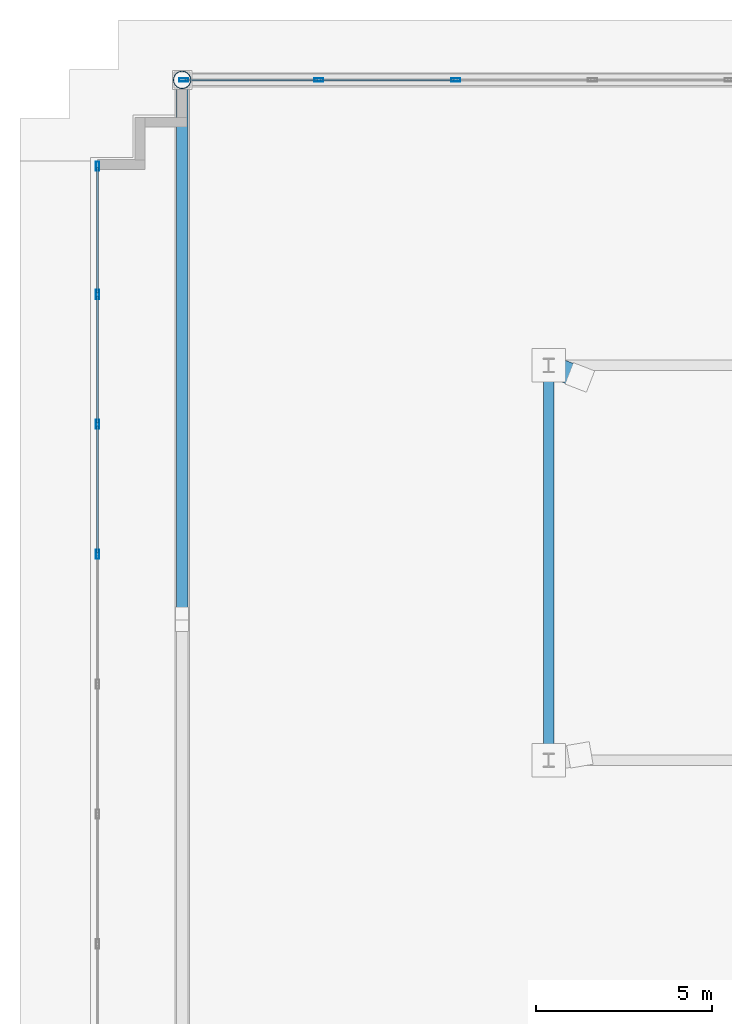
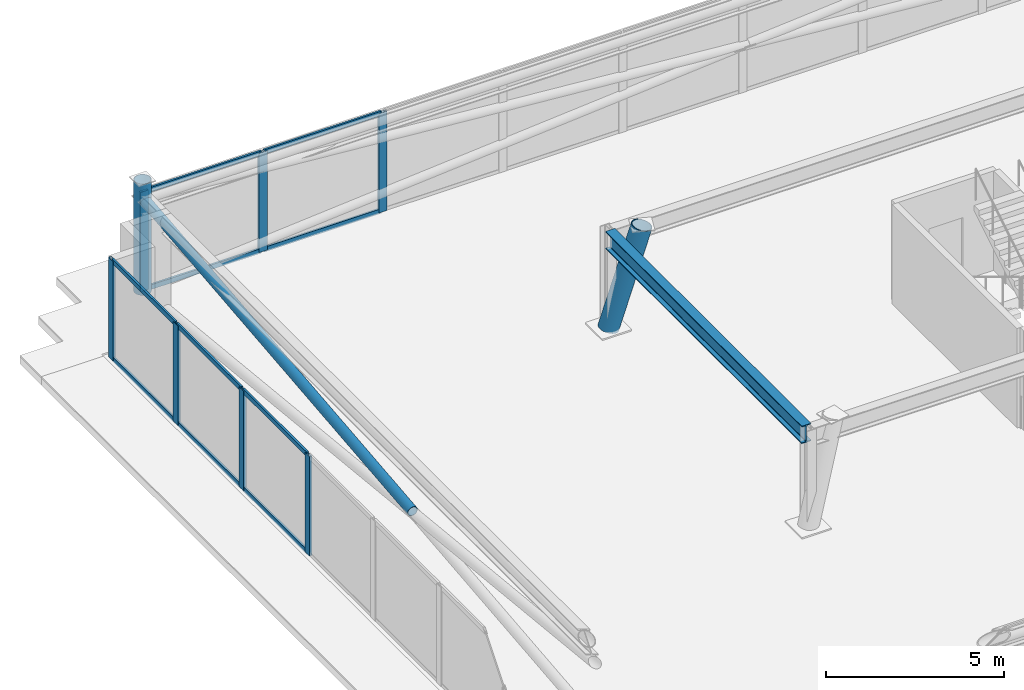
# One storey, part 9 of 23: 20 members, 1 beam, 2 elements without a shape of their own.
"""IFC4 building model written with IfcOpenShell, lengths in metres."""

from ifc_helpers import new_model, si_unit, direction, frame, origin, origin_2d, place, context, subcontext, project, spatial, hollow_rectangle, hollow_circle, i_section, extrude, material, layer, layer_set, material_profile, profile_set, type_object, element, aggregate, save


model = new_model("IFC4")

# Units and contexts
model_context = context("Model", 3, precision=1e-05, world=origin(), true_north=direction((0.0, 1.0)))
body_context = subcontext(model_context, "Body", "Model", "MODEL_VIEW")
ifc_project = project(units=[si_unit("LENGTHUNIT", "METRE"), si_unit("AREAUNIT", "SQUARE_METRE"), si_unit("VOLUMEUNIT", "CUBIC_METRE"), si_unit("PLANEANGLEUNIT", "RADIAN"), si_unit("MASSUNIT", "GRAM", prefix="KILO")], contexts=[model_context])

# Site, building, storey
site_placement = place(None, origin())
site = spatial("IfcSite", under=ifc_project, at=site_placement, CompositionType="ELEMENT")
building_placement = place(site_placement, origin())
building = spatial("IfcBuilding", under=site, at=building_placement, Name="Qobustan Lattice House", CompositionType="ELEMENT")
storey_placement = place(building_placement, frame((0.0, 0.0, 270.199951171875)))
storey = spatial("IfcBuildingStorey", under=building, at=storey_placement, Name="L76", CompositionType="ELEMENT", Elevation=270.199951171875)

# Beam
ifc_material_1 = material(Name="Steel S355", Category="steel")
ifc_material_profile_1 = material_profile(ifc_material_1, i_section(OverallWidth=0.300048828125, OverallDepth=0.60009765625, WebThickness=0.015380859375, FlangeThickness=0.030029296875, FilletRadius=0.027099609375, at=origin_2d()), Name="HEB600")
ifc_profile_set_1 = profile_set([ifc_material_profile_1], Name="Steel S355")
beam_type = type_object("IfcBeamType", Name="BM-POD-HEB600", PredefinedType="USERDEFINED", material=ifc_profile_set_1)
beam_placement = place(storey_placement, frame((-9.199951171875, 5.5, 3.10009765625), z_axis=(0.0, -1.0, 0.0), x_axis=(1.0, 0.0, 0.0)))
element("IfcBeam", 1, at=beam_placement, inside=storey, type_object=beam_type, Name="L76 crown support ring girder 4", ObjectType="GIRDER", PredefinedType="USERDEFINED", context=body_context, shape_type="SweptSolid", body=[
    extrude(i_section(OverallWidth=0.300048828125, OverallDepth=0.60009765625, WebThickness=0.015380859375, FlangeThickness=0.030029296875, FilletRadius=0.027099609375, at=origin_2d()), origin(), (0.0, 0.0, 1.0), 11.0),
])

# Curtain wall, members
ifc_material_2 = material(Name="Anodised aluminium and low-E glazing", Category="aluminium")
ifc_layer = layer(ifc_material_2, 0.219970703125)
ifc_layer_set = layer_set([ifc_layer], Name="Anodised aluminium and low-E glazing")
curtain_wall_type = type_object("IfcCurtainWallType", Name="CW-CRN-01", PredefinedType="USERDEFINED", material=ifc_layer_set)
curtain_wall_1_placement = place(storey_placement, origin())
curtain_wall_1 = element("IfcCurtainWall", 2, at=curtain_wall_1_placement, inside=storey, type_object=curtain_wall_type, Name="L76 glass-point crown faceted curtain wall 5", ObjectType="CURTAIN WALL", PredefinedType="USERDEFINED")
ifc_material_3 = material(Name="Anodised aluminium EN AW-6063 T6", Category="aluminium")
ifc_material_profile_2 = material_profile(ifc_material_3, hollow_rectangle(XDim=0.090087890625, YDim=0.260009765625, WallThickness=0.006103515625, at=origin_2d()), Name="CWM-CROWN-260x90")
ifc_profile_set_2 = profile_set([ifc_material_profile_2], Name="Anodised aluminium EN AW-6063 T6")
member_type_1 = type_object("IfcMemberType", Name="CWM-CRN-260", PredefinedType="MULLION", material=ifc_profile_set_2)
member_1_placement = place(storey_placement, frame((-22.0, 0.242919921875, 0.0), z_axis=(0.0, 0.0, 1.0), x_axis=(-1.0, 0.0, 0.0)))
member_1 = element("IfcMember", 3, at=member_1_placement, type_object=member_type_1, Name="CW-CR mullion 5", PredefinedType="MULLION", context=body_context, shape_type="SweptSolid", body=[
    extrude(hollow_rectangle(XDim=0.090087890625, YDim=0.260009765625, WallThickness=0.006103515625, at=origin_2d()), origin(), (0.0, 0.0, 1.0), 3.400146484375),
])
member_2_placement = place(storey_placement, frame((-22.0, 3.928466796875, 0.0), z_axis=(0.0, 0.0, 1.0), x_axis=(-1.0, 0.0, 0.0)))
member_2 = element("IfcMember", 4, at=member_2_placement, type_object=member_type_1, Name="CW-CR mullion 6", PredefinedType="MULLION", context=body_context, shape_type="SweptSolid", body=[
    extrude(hollow_rectangle(XDim=0.090087890625, YDim=0.260009765625, WallThickness=0.006103515625, at=origin_2d()), origin(), (0.0, 0.0, 1.0), 3.400146484375),
])
member_3_placement = place(storey_placement, frame((-22.0, 7.6142578125, 0.0), z_axis=(0.0, 0.0, 1.0), x_axis=(-1.0, 0.0, 0.0)))
member_3 = element("IfcMember", 5, at=member_3_placement, type_object=member_type_1, Name="CW-CR mullion 7", PredefinedType="MULLION", context=body_context, shape_type="SweptSolid", body=[
    extrude(hollow_rectangle(XDim=0.090087890625, YDim=0.260009765625, WallThickness=0.006103515625, at=origin_2d()), origin(), (0.0, 0.0, 1.0), 3.400146484375),
])
member_4_placement = place(storey_placement, frame((-22.0, 11.2548828125, 0.0), z_axis=(0.0, 0.0, 1.0), x_axis=(-1.0, 0.0, 0.0)))
member_4 = element("IfcMember", 6, at=member_4_placement, type_object=member_type_1, Name="CW-CR mullion 8", PredefinedType="MULLION", context=body_context, shape_type="SweptSolid", body=[
    extrude(hollow_rectangle(XDim=0.090087890625, YDim=0.260009765625, WallThickness=0.006103515625, at=origin_2d()), origin(), (0.0, 0.0, 1.0), 3.400146484375),
])

curtain_wall_2_placement = place(storey_placement, origin())
curtain_wall_2 = element("IfcCurtainWall", 7, at=curtain_wall_2_placement, inside=storey, type_object=curtain_wall_type, Name="L76 glass-point crown faceted curtain wall 10", ObjectType="CURTAIN WALL", PredefinedType="USERDEFINED")
member_5_placement = place(storey_placement, frame((-19.554931640625, 13.699951171875, 0.0), z_axis=(0.0, 0.0, 1.0), x_axis=(0.0, 1.0, 0.0)))
member_5 = element("IfcMember", 8, at=member_5_placement, type_object=member_type_1, Name="CW-CR mullion 1", PredefinedType="MULLION", context=body_context, shape_type="SweptSolid", body=[
    extrude(hollow_rectangle(XDim=0.090087890625, YDim=0.260009765625, WallThickness=0.006103515625, at=origin_2d()), origin(), (0.0, 0.0, 1.0), 3.400146484375),
])
member_6_placement = place(storey_placement, frame((-15.719970703125, 13.699951171875, 0.0), z_axis=(0.0, 0.0, 1.0), x_axis=(0.0, 1.0, 0.0)))
member_6 = element("IfcMember", 9, at=member_6_placement, type_object=member_type_1, Name="CW-CR mullion 2", PredefinedType="MULLION", context=body_context, shape_type="SweptSolid", body=[
    extrude(hollow_rectangle(XDim=0.090087890625, YDim=0.260009765625, WallThickness=0.006103515625, at=origin_2d()), origin(), (0.0, 0.0, 1.0), 3.400146484375),
])
member_7_placement = place(storey_placement, frame((-11.840087890625, 13.699951171875, 0.0), z_axis=(0.0, 0.0, 1.0), x_axis=(0.0, 1.0, 0.0)))
member_7 = element("IfcMember", 10, at=member_7_placement, type_object=member_type_1, Name="CW-CR mullion 3", PredefinedType="MULLION", context=body_context, shape_type="SweptSolid", body=[
    extrude(hollow_rectangle(XDim=0.090087890625, YDim=0.260009765625, WallThickness=0.006103515625, at=origin_2d()), origin(), (0.0, 0.0, 1.0), 3.400146484375),
])

# Member
ifc_material_4 = material(Name="Anodised aluminium EN AW-6063 T6", Category="aluminium")
ifc_material_profile_3 = material_profile(ifc_material_4, hollow_rectangle(XDim=0.06494140625, YDim=0.159912109375, WallThickness=0.00390625, at=origin_2d()), Name="CWT-160x65")
ifc_profile_set_3 = profile_set([ifc_material_profile_3], Name="Anodised aluminium EN AW-6063 T6")
member_type_2 = type_object("IfcMemberType", Name="CWT-HOR-160", PredefinedType="USERDEFINED", material=ifc_profile_set_3)
member_8_placement = place(storey_placement, frame((-22.0, 0.287841796875, 0.032470703125), z_axis=(0.0, 1.0, 0.0), x_axis=(-1.0, 0.0, 0.0)))
member_8 = element("IfcMember", 11, at=member_8_placement, type_object=member_type_2, Name="CW-CR transom 5.1", ObjectType="TRANSOM", PredefinedType="USERDEFINED", context=body_context, shape_type="SweptSolid", body=[
    extrude(hollow_rectangle(XDim=0.06494140625, YDim=0.159912109375, WallThickness=0.00390625, at=origin_2d()), origin(), (0.0, 0.0, 1.0), 3.595703125),
])

member_9_placement = place(storey_placement, frame((-22.0, 0.287841796875, 3.367431640625), z_axis=(0.0, 1.0, 0.0), x_axis=(-1.0, 0.0, 0.0)))
member_9 = element("IfcMember", 12, at=member_9_placement, type_object=member_type_2, Name="CW-CR transom 5.2", ObjectType="TRANSOM", PredefinedType="USERDEFINED", context=body_context, shape_type="SweptSolid", body=[
    extrude(hollow_rectangle(XDim=0.06494140625, YDim=0.159912109375, WallThickness=0.00390625, at=origin_2d()), origin(), (0.0, 0.0, 1.0), 3.595703125),
])

member_10_placement = place(storey_placement, frame((-22.0, 3.9736328125, 0.032470703125), z_axis=(0.0, 1.0, 0.0), x_axis=(-1.0, 0.0, 0.0)))
member_10 = element("IfcMember", 13, at=member_10_placement, type_object=member_type_2, Name="CW-CR transom 6.1", ObjectType="TRANSOM", PredefinedType="USERDEFINED", context=body_context, shape_type="SweptSolid", body=[
    extrude(hollow_rectangle(XDim=0.06494140625, YDim=0.159912109375, WallThickness=0.00390625, at=origin_2d()), origin(), (0.0, 0.0, 1.0), 3.595703125),
])

member_11_placement = place(storey_placement, frame((-22.0, 3.9736328125, 3.367431640625), z_axis=(0.0, 1.0, 0.0), x_axis=(-1.0, 0.0, 0.0)))
member_11 = element("IfcMember", 14, at=member_11_placement, type_object=member_type_2, Name="CW-CR transom 6.2", ObjectType="TRANSOM", PredefinedType="USERDEFINED", context=body_context, shape_type="SweptSolid", body=[
    extrude(hollow_rectangle(XDim=0.06494140625, YDim=0.159912109375, WallThickness=0.00390625, at=origin_2d()), origin(), (0.0, 0.0, 1.0), 3.595703125),
])

member_12_placement = place(storey_placement, frame((-22.0, 7.6591796875, 0.032470703125), z_axis=(0.0, 1.0, 0.0), x_axis=(-1.0, 0.0, 0.0)))
member_12 = element("IfcMember", 15, at=member_12_placement, type_object=member_type_2, Name="CW-CR transom 7.1", ObjectType="TRANSOM", PredefinedType="USERDEFINED", context=body_context, shape_type="SweptSolid", body=[
    extrude(hollow_rectangle(XDim=0.06494140625, YDim=0.159912109375, WallThickness=0.00390625, at=origin_2d()), origin(), (0.0, 0.0, 1.0), 3.55078125),
])

member_13_placement = place(storey_placement, frame((-22.0, 7.6591796875, 3.367431640625), z_axis=(0.0, 1.0, 0.0), x_axis=(-1.0, 0.0, 0.0)))
member_13 = element("IfcMember", 16, at=member_13_placement, type_object=member_type_2, Name="CW-CR transom 7.2", ObjectType="TRANSOM", PredefinedType="USERDEFINED", context=body_context, shape_type="SweptSolid", body=[
    extrude(hollow_rectangle(XDim=0.06494140625, YDim=0.159912109375, WallThickness=0.00390625, at=origin_2d()), origin(), (0.0, 0.0, 1.0), 3.55078125),
])

aggregate(curtain_wall_1, [member_1, member_2, member_3, member_4, member_8, member_9, member_10, member_11, member_12, member_13])

member_14_placement = place(storey_placement, frame((-19.510009765625, 13.699951171875, 0.032470703125), z_axis=(1.0, 0.0, 0.0), x_axis=(0.0, 1.0, 0.0)))
member_14 = element("IfcMember", 17, at=member_14_placement, type_object=member_type_2, Name="CW-CR transom 1.1", ObjectType="TRANSOM", PredefinedType="USERDEFINED", context=body_context, shape_type="SweptSolid", body=[
    extrude(hollow_rectangle(XDim=0.06494140625, YDim=0.159912109375, WallThickness=0.00390625, at=origin_2d()), origin(), (0.0, 0.0, 1.0), 3.7451171875),
])

member_15_placement = place(storey_placement, frame((-19.510009765625, 13.699951171875, 3.367431640625), z_axis=(1.0, 0.0, 0.0), x_axis=(0.0, 1.0, 0.0)))
member_15 = element("IfcMember", 18, at=member_15_placement, type_object=member_type_2, Name="CW-CR transom 1.2", ObjectType="TRANSOM", PredefinedType="USERDEFINED", context=body_context, shape_type="SweptSolid", body=[
    extrude(hollow_rectangle(XDim=0.06494140625, YDim=0.159912109375, WallThickness=0.00390625, at=origin_2d()), origin(), (0.0, 0.0, 1.0), 3.7451171875),
])

member_16_placement = place(storey_placement, frame((-15.675048828125, 13.699951171875, 0.032470703125), z_axis=(1.0, 0.0, 0.0), x_axis=(0.0, 1.0, 0.0)))
member_16 = element("IfcMember", 19, at=member_16_placement, type_object=member_type_2, Name="CW-CR transom 2.1", ObjectType="TRANSOM", PredefinedType="USERDEFINED", context=body_context, shape_type="SweptSolid", body=[
    extrude(hollow_rectangle(XDim=0.06494140625, YDim=0.159912109375, WallThickness=0.00390625, at=origin_2d()), origin(), (0.0, 0.0, 1.0), 3.7900390625),
])

member_17_placement = place(storey_placement, frame((-15.675048828125, 13.699951171875, 3.367431640625), z_axis=(1.0, 0.0, 0.0), x_axis=(0.0, 1.0, 0.0)))
member_17 = element("IfcMember", 20, at=member_17_placement, type_object=member_type_2, Name="CW-CR transom 2.2", ObjectType="TRANSOM", PredefinedType="USERDEFINED", context=body_context, shape_type="SweptSolid", body=[
    extrude(hollow_rectangle(XDim=0.06494140625, YDim=0.159912109375, WallThickness=0.00390625, at=origin_2d()), origin(), (0.0, 0.0, 1.0), 3.7900390625),
])

aggregate(curtain_wall_2, [member_5, member_6, member_7, member_14, member_15, member_16, member_17])

# Members
ifc_material_5 = material(Name="Steel S355", Category="steel")
ifc_material_profile_4 = material_profile(ifc_material_5, hollow_circle(Radius=0.161865234375, WallThickness=0.012451171875, at=origin_2d()), Name="CHS323.9x12.5")
ifc_profile_set_4 = profile_set([ifc_material_profile_4], Name="Steel S355")
member_type_3 = type_object("IfcMemberType", Name="MEM-CBR-CHS324", PredefinedType="BRACE", material=ifc_profile_set_4)
member_18_placement = place(storey_placement, frame((-19.60009765625, -1.432861328125, 1.61474609375), z_axis=(0.0, 0.994693662734, 0.102881083373), x_axis=(-1.0, 0.0, 0.0)))
element("IfcMember", 21, at=member_18_placement, inside=storey, type_object=member_type_3, Name="L76 crown diagrid split brace 4B upper", PredefinedType="BRACE", context=body_context, shape_type="SweptSolid", body=[
    extrude(hollow_circle(Radius=0.161865234375, WallThickness=0.012451171875, at=origin_2d()), origin(), (0.0, 0.0, 1.0), 15.213623046875),
])
ifc_material_6 = material(Name="Steel S355", Category="steel")
ifc_material_profile_5 = material_profile(ifc_material_6, hollow_circle(Radius=0.304931640625, WallThickness=0.02490234375, at=origin_2d()), Name="CHS610x25")
ifc_profile_set_5 = profile_set([ifc_material_profile_5], Name="Steel S355")
member_type_4 = type_object("IfcMemberType", Name="MEM-SPR-CHS610", PredefinedType="USERDEFINED", material=ifc_profile_set_5)
member_19_placement = place(storey_placement, frame((-9.199951171875, 5.60009765625, 0.0), z_axis=(0.249748431437, -0.096371070635, 0.963503159175), x_axis=(0.360000616832, 0.932952065157, 0.0)))
element("IfcMember", 22, at=member_19_placement, inside=storey, type_object=member_type_4, Name="L76 crown spire leg SL4", ObjectType="CROWN FRAME", PredefinedType="USERDEFINED", context=body_context, shape_type="SweptSolid", body=[
    extrude(hollow_circle(Radius=0.304931640625, WallThickness=0.02490234375, at=origin_2d()), origin(), (0.0, 0.0, 1.0), 3.529052734375),
])
ifc_material_7 = material(Name="Steel S355", Category="steel")
ifc_material_profile_6 = material_profile(ifc_material_7, hollow_circle(Radius=0.25390625, WallThickness=0.02001953125, at=origin_2d()), Name="CHS508x20")
ifc_profile_set_6 = profile_set([ifc_material_profile_6], Name="Steel S355")
member_type_5 = type_object("IfcMemberType", Name="MEM-STR-CHS508", PredefinedType="STRUT", material=ifc_profile_set_6)
member_20_placement = place(storey_placement, frame((-19.60009765625, 13.699951171875, 0.0), z_axis=(0.0, 0.0, 1.0), x_axis=(1.0, 0.0, 0.0)))
element("IfcMember", 23, at=member_20_placement, inside=storey, type_object=member_type_5, Name="L76 crown corner raking strut 4", PredefinedType="STRUT", context=body_context, shape_type="SweptSolid", body=[
    extrude(hollow_circle(Radius=0.25390625, WallThickness=0.02001953125, at=origin_2d()), origin(), (0.0, 0.0, 1.0), 3.800048828125),
])

save(model, "model.ifc")
